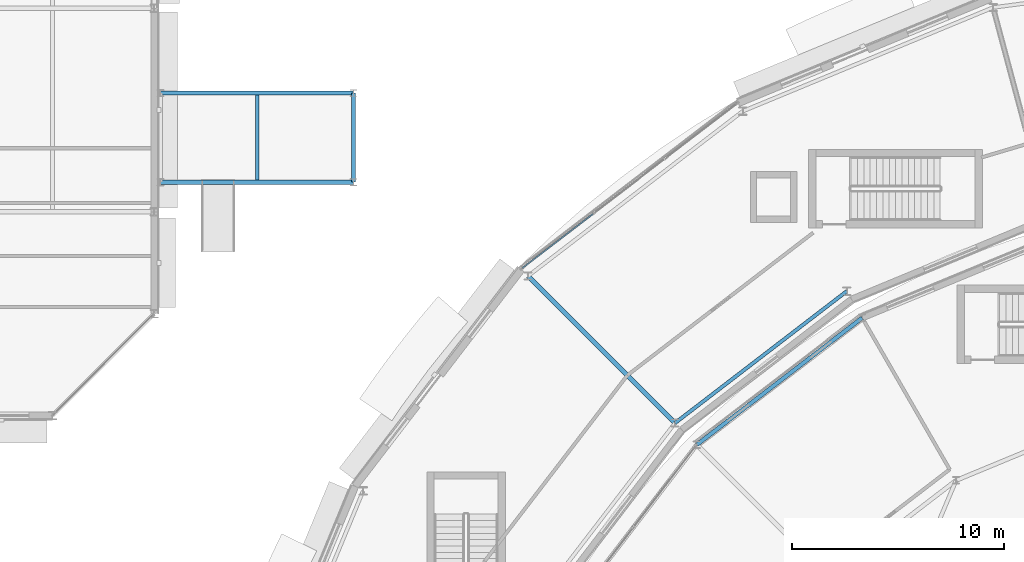
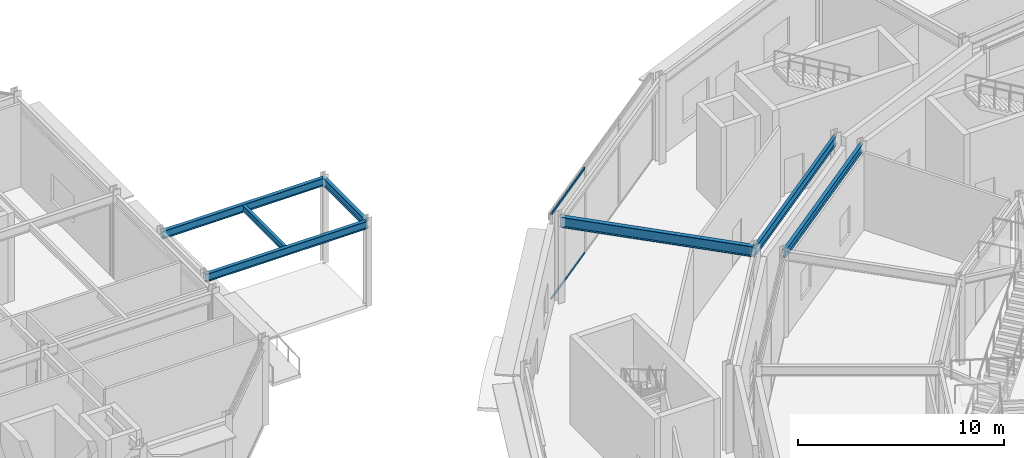
# One storey, part 70 of 168: 7 beams, 2 members, 1 element without a shape of its own.
"""IFC4 building model written with IfcOpenShell, lengths in metres."""

from ifc_helpers import new_model, si_unit, direction, frame, origin, origin_2d, place, context, subcontext, project, spatial, hollow_rectangle, i_section, extrude, material, material_profile, profile_set, type_object, element, aggregate, save


model = new_model("IFC4")

# Units and contexts
model_context = context("Model", 3, precision=1e-05, world=origin(), true_north=direction((0.0, 1.0)))
body_context = subcontext(model_context, "Body", "Model", "MODEL_VIEW")
ifc_project = project(units=[si_unit("LENGTHUNIT", "METRE"), si_unit("AREAUNIT", "SQUARE_METRE"), si_unit("VOLUMEUNIT", "CUBIC_METRE"), si_unit("PLANEANGLEUNIT", "RADIAN"), si_unit("MASSUNIT", "GRAM", prefix="KILO")], contexts=[model_context])

# Site, building, storey
site_placement = place(None, origin())
site = spatial("IfcSite", under=ifc_project, at=site_placement, CompositionType="ELEMENT")
building_placement = place(site_placement, origin())
building = spatial("IfcBuilding", under=site, at=building_placement, Name="Almandine Court Research Institute", CompositionType="ELEMENT")
storey_placement = place(building_placement, origin())
storey = spatial("IfcBuildingStorey", under=building, at=storey_placement, Name="L00", CompositionType="ELEMENT", Elevation=0.0)

# Beams
ifc_material_1 = material(Name="Steel ASTM A992 Grade 50", Category="steel")
ifc_material_profile_1 = material_profile(ifc_material_1, i_section(OverallWidth=0.18994140625, OverallDepth=0.45703125, WebThickness=0.009033203125, FlangeThickness=0.014892578125, at=origin_2d()), Name="W460x74")
ifc_profile_set_1 = profile_set([ifc_material_profile_1], Name="Steel ASTM A992 Grade 50")
beam_type_1 = type_object("IfcBeamType", Name="Beam-B-01", PredefinedType="BEAM", material=ifc_profile_set_1)
beam_1_placement = place(storey_placement, frame((68.175048828125, 88.60595703125, 4.841064453125), z_axis=(-0.793391623282, -0.608711534396, 0.0), x_axis=(0.608711534396, -0.793391623282, 0.0)))
element("IfcBeam", 1, at=beam_1_placement, inside=storey, type_object=beam_type_1, Name="L00 Atrium Outer Ring Beam", PredefinedType="BEAM", context=body_context, shape_type="SweptSolid", body=[
    extrude(i_section(OverallWidth=0.18994140625, OverallDepth=0.45703125, WebThickness=0.009033203125, FlangeThickness=0.014892578125, at=origin_2d()), origin(), (0.0, 0.0, 1.0), 9.828857421875),
])
ifc_material_profile_2 = material_profile(ifc_material_1, i_section(OverallWidth=0.172119140625, OverallDepth=0.35791015625, WebThickness=0.008056640625, FlangeThickness=0.012939453125, at=origin_2d()), Name="W360x57")
ifc_profile_set_2 = profile_set([ifc_material_profile_2], Name="Steel ASTM A992 Grade 50")
beam_type_2 = type_object("IfcBeamType", Name="Beam-B-03", PredefinedType="JOIST", material=ifc_profile_set_2)
beam_2_placement = place(storey_placement, frame((39.64990234375, 95.093994140625, 4.843994140625), z_axis=(0.0, 1.0, 0.0), x_axis=(-1.0, 0.0, 0.0)))
element("IfcBeam", 2, at=beam_2_placement, inside=storey, type_object=beam_type_2, Name="L00 DAL-NW Composite Secondary Beam", PredefinedType="JOIST", context=body_context, shape_type="SweptSolid", body=[
    extrude(i_section(OverallWidth=0.172119140625, OverallDepth=0.35791015625, WebThickness=0.008056640625, FlangeThickness=0.012939453125, at=origin_2d()), origin(), (0.0, 0.0, 1.0), 4.011962890625),
])
ifc_material_profile_3 = material_profile(ifc_material_1, i_section(OverallWidth=0.22998046875, OverallDepth=0.616943359375, WebThickness=0.012939453125, FlangeThickness=0.02197265625, at=origin_2d()), Name="W610x140")
ifc_profile_set_3 = profile_set([ifc_material_profile_3], Name="Steel ASTM A992 Grade 50")
beam_type_3 = type_object("IfcBeamType", Name="Beam-G-02", PredefinedType="BEAM", material=ifc_profile_set_3)
beam_3_placement = place(storey_placement, frame((59.35205078125, 83.64794921875, 4.760986328125), z_axis=(-0.707106781187, 0.707106781187, 0.0), x_axis=(-0.707106781187, -0.707106781187, 0.0)))
element("IfcBeam", 3, at=beam_3_placement, inside=storey, type_object=beam_type_3, Name="L00 Drum Radial Girder 09", PredefinedType="BEAM", context=body_context, shape_type="SweptSolid", body=[
    extrude(i_section(OverallWidth=0.22998046875, OverallDepth=0.616943359375, WebThickness=0.012939453125, FlangeThickness=0.02197265625, at=origin_2d()), origin(), (0.0, 0.0, 1.0), 9.80029296875),
])
ifc_material_profile_4 = material_profile(ifc_material_1, i_section(OverallWidth=0.166015625, OverallDepth=0.534912109375, WebThickness=0.010009765625, FlangeThickness=0.01708984375, at=origin_2d()), Name="W530x85")
ifc_profile_set_4 = profile_set([ifc_material_profile_4], Name="Steel ASTM A992 Grade 50")
beam_type_4 = type_object("IfcBeamType", Name="Beam-G-05-E", PredefinedType="SPANDREL", material=ifc_profile_set_4)
beam_4_placement = place(storey_placement, frame((67.449951171875, 89.862060546875, 4.802978515625), z_axis=(-0.793335653042, -0.608784478787, 0.0), x_axis=(0.608784478787, -0.793335653042, 0.0)))
element("IfcBeam", 4, at=beam_4_placement, inside=storey, type_object=beam_type_4, Name="L00 Drum IN Ring Beam 08", PredefinedType="SPANDREL", context=body_context, shape_type="SweptSolid", body=[
    extrude(i_section(OverallWidth=0.166015625, OverallDepth=0.534912109375, WebThickness=0.010009765625, FlangeThickness=0.01708984375, at=origin_2d()), origin(), (0.0, 0.0, 1.0), 10.20751953125),
])
ifc_material_profile_5 = material_profile(ifc_material_1, i_section(OverallWidth=0.193115234375, OverallDepth=0.466064453125, WebThickness=0.010986328125, FlangeThickness=0.01904296875, at=origin_2d()), Name="W460x97")
ifc_profile_set_5 = profile_set([ifc_material_profile_5], Name="Steel ASTM A992 Grade 50")
beam_type_5 = type_object("IfcBeamType", Name="Beam-G-06-E", PredefinedType="SPANDREL", material=ifc_profile_set_5)
for number, where, z_axis, x_axis, name in (
    (5, (35.10009765625, 95.0, 4.7900390625), (1.0, 0.0, 0.0), (0.0, 1.0, 0.0), "L00 DAL-NW Primary X Girder"),
    (6, (35.10009765625, 99.199951171875, 4.7900390625), (1.0, 0.0, 0.0), (0.0, 1.0, 0.0), "L00 DAL-NW Primary X Girder"),
):
    element("IfcBeam", number, at=place(storey_placement, frame(where, z_axis=z_axis, x_axis=x_axis)), inside=storey, type_object=beam_type_5, Name=name, PredefinedType="SPANDREL", context=body_context, shape_type="SweptSolid", body=[
        extrude(i_section(OverallWidth=0.193115234375, OverallDepth=0.466064453125, WebThickness=0.010986328125, FlangeThickness=0.01904296875, at=origin_2d()), origin(), (0.0, 0.0, 1.0), 9.099853515625),
    ])
beam_5_placement = place(storey_placement, frame((44.199951171875, 95.0, 4.7900390625), z_axis=(0.0, 1.0, 0.0), x_axis=(-1.0, 0.0, 0.0)))
element("IfcBeam", 7, at=beam_5_placement, inside=storey, type_object=beam_type_5, Name="L00 DAL-NW Primary Y Girder", PredefinedType="SPANDREL", context=body_context, shape_type="SweptSolid", body=[
    extrude(i_section(OverallWidth=0.193115234375, OverallDepth=0.466064453125, WebThickness=0.010986328125, FlangeThickness=0.01904296875, at=origin_2d()), origin(), (0.0, 0.0, 1.0), 4.199951171875),
])

# Curtain wall, members
ifc_material_2 = material(Name="Unitised Curtain Wall Framing and Solar Glazing", Category="glass")
curtain_wall_type = type_object("IfcCurtainWallType", Name="CW-CWJ-17", PredefinedType="USERDEFINED", material=ifc_material_2)
curtain_wall_placement = place(storey_placement, origin())
curtain_wall = element("IfcCurtainWall", 8, at=curtain_wall_placement, inside=storey, type_object=curtain_wall_type, Name="L00 Stacked-Ring Drum Outer Solar Jali Screen 08", ObjectType="SOLAR JALI SCREEN", PredefinedType="USERDEFINED")
ifc_material_3 = material(Name="Anodised Aluminium AW-6063-T6", Category="aluminium")
ifc_material_profile_6 = material_profile(ifc_material_3, hollow_rectangle(XDim=0.06494140625, YDim=0.1298828125, WallThickness=0.00390625, at=origin_2d()), Name="ALU RHS 65x130x4")
ifc_profile_set_6 = profile_set([ifc_material_profile_6], Name="Anodised Aluminium AW-6063-T6")
member_type = type_object("IfcMemberType", Name="CWTrn-65x130", PredefinedType="NOTDEFINED", material=ifc_profile_set_6)
member_1_placement = place(storey_placement, frame((52.151611328125, 90.945556640625, 0.032470703125), z_axis=(0.793380569658, 0.608725941364, 0.0), x_axis=(-0.608725941364, 0.793380569658, 0.0)))
member_1 = element("IfcMember", 9, at=member_1_placement, type_object=member_type, Name="CWJ-17 transom 1.1", ObjectType="TRANSOM", PredefinedType="USERDEFINED", context=body_context, shape_type="SweptSolid", body=[
    extrude(hollow_rectangle(XDim=0.06494140625, YDim=0.1298828125, WallThickness=0.00390625, at=origin_2d()), origin(), (0.0, 0.0, 1.0), 4.195068359375),
])
member_2_placement = place(storey_placement, frame((52.151611328125, 90.945556640625, 5.03759765625), z_axis=(0.793380569658, 0.608725941364, 0.0), x_axis=(-0.608725941364, 0.793380569658, 0.0)))
member_2 = element("IfcMember", 10, at=member_2_placement, type_object=member_type, Name="CWJ-17 transom 1.2", ObjectType="TRANSOM", PredefinedType="USERDEFINED", context=body_context, shape_type="SweptSolid", body=[
    extrude(hollow_rectangle(XDim=0.06494140625, YDim=0.1298828125, WallThickness=0.00390625, at=origin_2d()), origin(), (0.0, 0.0, 1.0), 4.195068359375),
])
aggregate(curtain_wall, [member_1, member_2])

save(model, "model.ifc")
